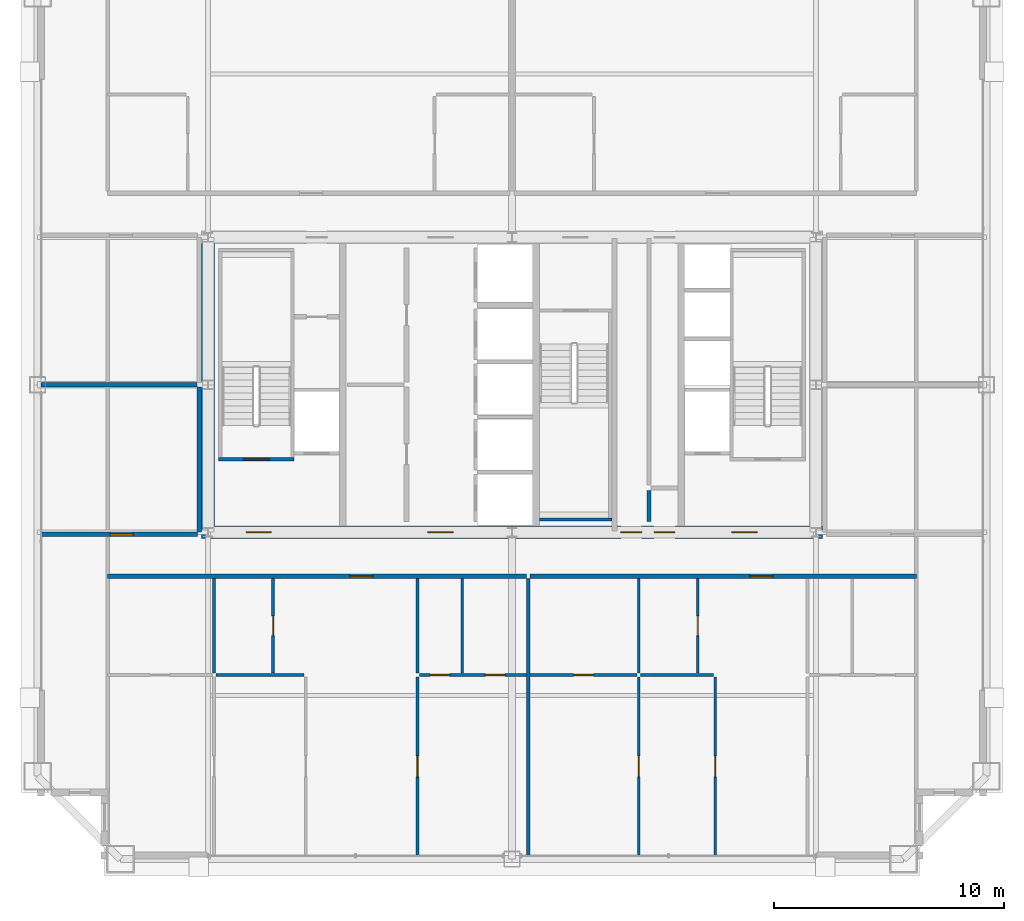
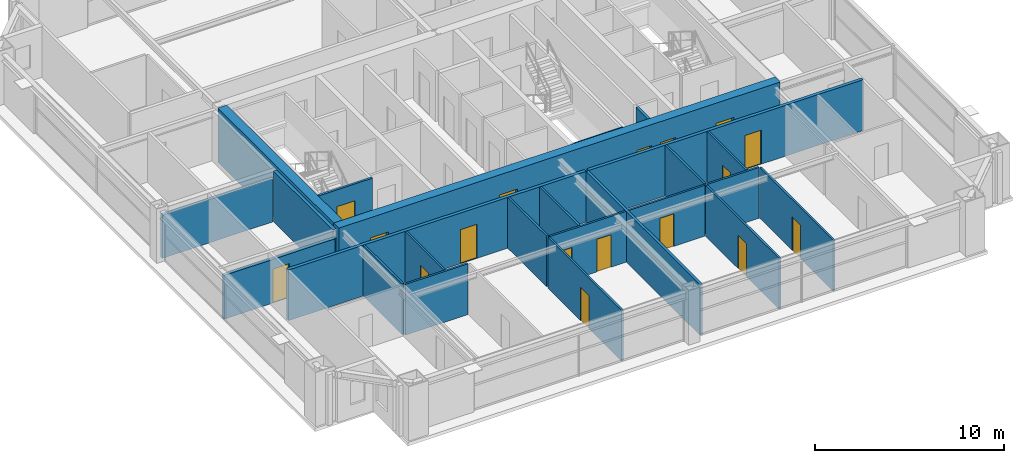
# One storey, part 32 of 36: 24 walls, 17 doors, 17 openings.
"""IFC4 building model written with IfcOpenShell, lengths in metres."""

from ifc_helpers import new_model, si_unit, direction, frame, frame_2d, origin, place, context, subcontext, project, spatial, rectangle, extrude, source, transform, mapped, material, layer, layer_set, type_object, element, fill, save


model = new_model("IFC4")

# Units and contexts
model_context = context("Model", 3, precision=1e-05, world=origin(), true_north=direction((0.0, 1.0)))
body_context = subcontext(model_context, "Body", "Model", "MODEL_VIEW")
ifc_project = project(units=[si_unit("LENGTHUNIT", "METRE"), si_unit("AREAUNIT", "SQUARE_METRE"), si_unit("VOLUMEUNIT", "CUBIC_METRE"), si_unit("PLANEANGLEUNIT", "RADIAN"), si_unit("MASSUNIT", "GRAM", prefix="KILO"), si_unit("THERMODYNAMICTEMPERATUREUNIT", "KELVIN"), si_unit("POWERUNIT", "WATT")], contexts=[model_context])

# Site, building, storey
site_placement = place(None, origin())
site = spatial("IfcSite", under=ifc_project, at=site_placement, CompositionType="ELEMENT")
building_placement = place(site_placement, origin())
building = spatial("IfcBuilding", under=site, at=building_placement, Name="Yuzanri Waterfront Tower", CompositionType="ELEMENT")
storey_placement = place(building_placement, frame((0.0, 0.0, 224.10009765625)))
storey = spatial("IfcBuildingStorey", under=building, at=storey_placement, Name="L59", CompositionType="ELEMENT", Elevation=224.10009765625)

# Wall, opening, door
ifc_material_1 = material(Name="Moisture-Resistant Gypsum Stud Wall", Category="gypsum")
ifc_layer_1 = layer(ifc_material_1, 0.1201171875)
ifc_layer_set_1 = layer_set([ifc_layer_1], Name="Moisture-Resistant Gypsum Stud Wall")
wall_type_1 = type_object("IfcWallType", Name="Bathroom and Kitchen Wet Partition 120", PredefinedType="PARTITIONING", material=ifc_layer_set_1)
wall_1_placement = place(storey_placement, frame((26.625, 13.280029296875, 0.0), z_axis=(0.0, 0.0, 1.0), x_axis=(0.0, 1.0, 0.0)))
wall_1 = element("IfcWall", 1, at=wall_1_placement, inside=storey, type_object=wall_type_1, Name="L59 Partition UW-L59-RS1-SUB-2-E", PredefinedType="PARTITIONING", context=body_context, shape_type="SweptSolid", body=[
    extrude(rectangle(XDim=4.10986328125, YDim=0.1201171875, at=frame_2d((2.054931640625, 0.0))), origin(), (0.0, 0.0, 1.0), 3.27978515625),
])
opening_1_placement = place(wall_1_placement, frame((1.6298828125, 0.0, 0.0)))
opening_1 = element("IfcOpeningElement", 2, at=opening_1_placement, cuts=wall_1, Name="Opening ID-0850", PredefinedType="OPENING", context=body_context, shape_type="SweptSolid", body=[
    extrude(rectangle(XDim=0.85009765625, YDim=2.10009765625, at=frame_2d((0.425048828125, 1.050048828125))), frame((0.0, 0.074951171875, 0.0), z_axis=(0.0, -1.0, 0.0), x_axis=(1.0, 0.0, 0.0)), (0.0, 0.0, 1.0), 0.14990234375),
])
ifc_material_2 = material(Name="Moisture-Resistant Lacquered Timber", Category="wood")
door_type_1 = type_object("IfcDoorType", Name="En-Suite Bathroom and Kitchen Swing Door 850x2100", OperationType="NOTDEFINED", PredefinedType="DOOR", material=ifc_material_2)
shared_shape_1 = source(origin(), body_context, "Body", "SweptSolid", [
    extrude(rectangle(XDim=0.85009765625, YDim=2.10009765625, at=frame_2d((0.425048828125, 1.050048828125))), frame((0.0, 0.02490234375, 0.0), z_axis=(0.0, -1.0, 0.0), x_axis=(1.0, 0.0, 0.0)), (0.0, 0.0, 1.0), 0.050048828125),
])
door_1_placement = place(opening_1_placement, origin())
door_1 = element("IfcDoor", 3, at=door_1_placement, inside=storey, type_object=door_type_1, Name="L59 Suite Interior Room Door", OperationType="SINGLE_SWING_RIGHT", OverallHeight=2.10009765625, OverallWidth=0.85009765625, PredefinedType="DOOR", context=body_context, shape_type="MappedRepresentation", body=[
    mapped(shared_shape_1, transform((0.0, 0.0, 0.0), scale=1.0)),
])
fill(opening_1, door_1)

# Wall, openings, doors
wall_2_placement = place(storey_placement, frame((32.97509765625, 13.199951171875, 0.0), z_axis=(0.0, 0.0, 1.0), x_axis=(1.0, 0.0, 0.0)))
wall_2 = element("IfcWall", 4, at=wall_2_placement, inside=storey, type_object=wall_type_1, Name="L59 Partition UW-L59-RS1-SUB-6-N", PredefinedType="PARTITIONING", context=body_context, shape_type="SweptSolid", body=[
    extrude(rectangle(XDim=4.64697265625, YDim=0.1201171875, at=frame_2d((2.323486328125, 0.0))), origin(), (0.0, 0.0, 1.0), 3.27978515625),
])
opening_2_placement = place(wall_2_placement, frame((2.8720703125, 0.0, 0.0)))
opening_2 = element("IfcOpeningElement", 5, at=opening_2_placement, cuts=wall_2, Name="Opening ID-0850", PredefinedType="OPENING", context=body_context, shape_type="SweptSolid", body=[
    extrude(rectangle(XDim=0.85009765625, YDim=2.10009765625, at=frame_2d((0.425048828125, 1.050048828125))), frame((0.0, 0.074951171875, 0.0), z_axis=(0.0, -1.0, 0.0), x_axis=(1.0, 0.0, 0.0)), (0.0, 0.0, 1.0), 0.14990234375),
])
opening_3_placement = place(wall_2_placement, frame((0.468505859375, 0.0, 0.0)))
opening_3 = element("IfcOpeningElement", 6, at=opening_3_placement, cuts=wall_2, Name="Opening ID-0850", PredefinedType="OPENING", context=body_context, shape_type="SweptSolid", body=[
    extrude(rectangle(XDim=0.85009765625, YDim=2.10009765625, at=frame_2d((0.425048828125, 1.050048828125))), frame((0.0, 0.074951171875, 0.0), z_axis=(0.0, -1.0, 0.0), x_axis=(1.0, 0.0, 0.0)), (0.0, 0.0, 1.0), 0.14990234375),
])
door_2_placement = place(opening_2_placement, origin())
door_2 = element("IfcDoor", 7, at=door_2_placement, inside=storey, type_object=door_type_1, Name="L59 Suite Interior Room Door", OperationType="SINGLE_SWING_LEFT", OverallHeight=2.10009765625, OverallWidth=0.85009765625, PredefinedType="DOOR", context=body_context, shape_type="MappedRepresentation", body=[
    mapped(shared_shape_1, transform((0.0, 0.0, 0.0), scale=1.0)),
])
fill(opening_2, door_2)
door_3_placement = place(opening_3_placement, origin())
door_3 = element("IfcDoor", 8, at=door_3_placement, inside=storey, type_object=door_type_1, Name="L59 Suite Interior Room Door", OperationType="SINGLE_SWING_RIGHT", OverallHeight=2.10009765625, OverallWidth=0.85009765625, PredefinedType="DOOR", context=body_context, shape_type="MappedRepresentation", body=[
    mapped(shared_shape_1, transform((0.0, 0.0, 0.0), scale=1.0)),
])
fill(opening_3, door_3)

# Wall, opening, door
wall_3_placement = place(storey_placement, frame((32.89501953125, 5.35009765625, 0.0), z_axis=(0.0, 0.0, 1.0), x_axis=(0.0, 1.0, 0.0)))
wall_3 = element("IfcWall", 9, at=wall_3_placement, inside=storey, type_object=wall_type_1, Name="L59 Partition UW-L59-RS1-SUB-6-W", PredefinedType="PARTITIONING", context=body_context, shape_type="SweptSolid", body=[
    extrude(rectangle(XDim=7.77001953125, YDim=0.1201171875, at=frame_2d((3.885009765625, 0.0))), origin(), (0.0, 0.0, 1.0), 3.27978515625),
])
opening_4_placement = place(wall_3_placement, frame((3.43505859375, 0.0, 0.0)))
opening_4 = element("IfcOpeningElement", 10, at=opening_4_placement, cuts=wall_3, Name="Opening ID-0900", PredefinedType="OPENING", context=body_context, shape_type="SweptSolid", body=[
    extrude(rectangle(XDim=0.89990234375, YDim=2.14990234375, at=frame_2d((0.449951171875, 1.074951171875))), frame((0.0, 0.074951171875, 0.0), z_axis=(0.0, -1.0, 0.0), x_axis=(1.0, 0.0, 0.0)), (0.0, 0.0, 1.0), 0.14990234375),
])
ifc_material_3 = material(Name="Stained Walnut Veneer Timber", Category="wood")
door_type_2 = type_object("IfcDoorType", Name="Bedroom and Study Interior Swing Door 900x2150", OperationType="NOTDEFINED", PredefinedType="DOOR", material=ifc_material_3)
shared_shape_2 = source(origin(), body_context, "Body", "SweptSolid", [
    extrude(rectangle(XDim=0.89990234375, YDim=2.14990234375, at=frame_2d((0.449951171875, 1.074951171875))), frame((0.0, 0.02490234375, 0.0), z_axis=(0.0, -1.0, 0.0), x_axis=(1.0, 0.0, 0.0)), (0.0, 0.0, 1.0), 0.050048828125),
])
door_4_placement = place(opening_4_placement, origin())
door_4 = element("IfcDoor", 11, at=door_4_placement, inside=storey, type_object=door_type_2, Name="L59 Suite Interior Room Door", OperationType="SINGLE_SWING_RIGHT", OverallHeight=2.14990234375, OverallWidth=0.89990234375, PredefinedType="DOOR", context=body_context, shape_type="MappedRepresentation", body=[
    mapped(shared_shape_2, transform((0.0, 0.0, 0.0), scale=1.0)),
])
fill(opening_4, door_4)

wall_4_placement = place(storey_placement, frame((37.781982421875, 13.199951171875, 0.0), z_axis=(0.0, 0.0, 1.0), x_axis=(1.0, 0.0, 0.0)))
wall_4 = element("IfcWall", 12, at=wall_4_placement, inside=storey, type_object=wall_type_1, Name="L59 Partition UW-L59-RS2-SUB-1-S", PredefinedType="PARTITIONING", context=body_context, shape_type="SweptSolid", body=[
    extrude(rectangle(XDim=4.64697265625, YDim=0.1201171875, at=frame_2d((2.323486328125, 0.0))), origin(), (0.0, 0.0, 1.0), 3.27978515625),
])
opening_5_placement = place(wall_4_placement, frame((1.8984375, 0.0, 0.0)))
opening_5 = element("IfcOpeningElement", 13, at=opening_5_placement, cuts=wall_4, Name="Opening ID-0850", PredefinedType="OPENING", context=body_context, shape_type="SweptSolid", body=[
    extrude(rectangle(XDim=0.85009765625, YDim=2.10009765625, at=frame_2d((0.425048828125, 1.050048828125))), frame((0.0, 0.074951171875, 0.0), z_axis=(0.0, -1.0, 0.0), x_axis=(1.0, 0.0, 0.0)), (0.0, 0.0, 1.0), 0.14990234375),
])
door_5_placement = place(opening_5_placement, origin())
door_5 = element("IfcDoor", 14, at=door_5_placement, inside=storey, type_object=door_type_1, Name="L59 Suite Interior Room Door", OperationType="SINGLE_SWING_LEFT", OverallHeight=2.10009765625, OverallWidth=0.85009765625, PredefinedType="DOOR", context=body_context, shape_type="MappedRepresentation", body=[
    mapped(shared_shape_1, transform((0.0, 0.0, 0.0), scale=1.0)),
])
fill(opening_5, door_5)

wall_5_placement = place(storey_placement, frame((45.069091796875, 13.280029296875, 0.0), z_axis=(0.0, 0.0, 1.0), x_axis=(0.0, 1.0, 0.0)))
wall_5 = element("IfcWall", 15, at=wall_5_placement, inside=storey, type_object=wall_type_1, Name="L59 Partition UW-L59-RS2-SUB-2-E", PredefinedType="PARTITIONING", context=body_context, shape_type="SweptSolid", body=[
    extrude(rectangle(XDim=4.10986328125, YDim=0.1201171875, at=frame_2d((2.054931640625, 0.0))), origin(), (0.0, 0.0, 1.0), 3.27978515625),
])
opening_6_placement = place(wall_5_placement, frame((1.6298828125, 0.0, 0.0)))
opening_6 = element("IfcOpeningElement", 16, at=opening_6_placement, cuts=wall_5, Name="Opening ID-0850", PredefinedType="OPENING", context=body_context, shape_type="SweptSolid", body=[
    extrude(rectangle(XDim=0.85009765625, YDim=2.10009765625, at=frame_2d((0.425048828125, 1.050048828125))), frame((0.0, 0.074951171875, 0.0), z_axis=(0.0, -1.0, 0.0), x_axis=(1.0, 0.0, 0.0)), (0.0, 0.0, 1.0), 0.14990234375),
])
door_6_placement = place(opening_6_placement, origin())
door_6 = element("IfcDoor", 17, at=door_6_placement, inside=storey, type_object=door_type_1, Name="L59 Suite Interior Room Door", OperationType="SINGLE_SWING_RIGHT", OverallHeight=2.10009765625, OverallWidth=0.85009765625, PredefinedType="DOOR", context=body_context, shape_type="MappedRepresentation", body=[
    mapped(shared_shape_1, transform((0.0, 0.0, 0.0), scale=1.0)),
])
fill(opening_6, door_6)

wall_6_placement = place(storey_placement, frame((42.509033203125, 5.35009765625, 0.0), z_axis=(0.0, 0.0, 1.0), x_axis=(0.0, 1.0, 0.0)))
wall_6 = element("IfcWall", 18, at=wall_6_placement, inside=storey, type_object=wall_type_1, Name="L59 Partition UW-L59-RS2-SUB-5-E", PredefinedType="PARTITIONING", context=body_context, shape_type="SweptSolid", body=[
    extrude(rectangle(XDim=7.77001953125, YDim=0.1201171875, at=frame_2d((3.885009765625, 0.0))), origin(), (0.0, 0.0, 1.0), 3.27978515625),
])
opening_7_placement = place(wall_6_placement, frame((3.43505859375, 0.0, 0.0)))
opening_7 = element("IfcOpeningElement", 19, at=opening_7_placement, cuts=wall_6, Name="Opening ID-0900", PredefinedType="OPENING", context=body_context, shape_type="SweptSolid", body=[
    extrude(rectangle(XDim=0.89990234375, YDim=2.14990234375, at=frame_2d((0.449951171875, 1.074951171875))), frame((0.0, 0.074951171875, 0.0), z_axis=(0.0, -1.0, 0.0), x_axis=(1.0, 0.0, 0.0)), (0.0, 0.0, 1.0), 0.14990234375),
])
door_7_placement = place(opening_7_placement, origin())
door_7 = element("IfcDoor", 20, at=door_7_placement, inside=storey, type_object=door_type_2, Name="L59 Suite Interior Room Door", OperationType="SINGLE_SWING_LEFT", OverallHeight=2.14990234375, OverallWidth=0.89990234375, PredefinedType="DOOR", context=body_context, shape_type="MappedRepresentation", body=[
    mapped(shared_shape_2, transform((0.0, 0.0, 0.0), scale=1.0)),
])
fill(opening_7, door_7)

wall_7_placement = place(storey_placement, frame((45.821044921875, 5.35009765625, 0.0), z_axis=(0.0, 0.0, 1.0), x_axis=(0.0, 1.0, 0.0)))
wall_7 = element("IfcWall", 21, at=wall_7_placement, inside=storey, type_object=wall_type_1, Name="L59 Partition UW-L59-RS2-SUB-7-E", PredefinedType="PARTITIONING", context=body_context, shape_type="SweptSolid", body=[
    extrude(rectangle(XDim=7.77001953125, YDim=0.1201171875, at=frame_2d((3.885009765625, 0.0))), origin(), (0.0, 0.0, 1.0), 3.27978515625),
])
opening_8_placement = place(wall_7_placement, frame((3.43505859375, 0.0, 0.0)))
opening_8 = element("IfcOpeningElement", 22, at=opening_8_placement, cuts=wall_7, Name="Opening ID-0900", PredefinedType="OPENING", context=body_context, shape_type="SweptSolid", body=[
    extrude(rectangle(XDim=0.89990234375, YDim=2.14990234375, at=frame_2d((0.449951171875, 1.074951171875))), frame((0.0, 0.074951171875, 0.0), z_axis=(0.0, -1.0, 0.0), x_axis=(1.0, 0.0, 0.0)), (0.0, 0.0, 1.0), 0.14990234375),
])
door_8_placement = place(opening_8_placement, origin())
door_8 = element("IfcDoor", 23, at=door_8_placement, inside=storey, type_object=door_type_2, Name="L59 Suite Interior Room Door", OperationType="SINGLE_SWING_LEFT", OverallHeight=2.14990234375, OverallWidth=0.89990234375, PredefinedType="DOOR", context=body_context, shape_type="MappedRepresentation", body=[
    mapped(shared_shape_2, transform((0.0, 0.0, 0.0), scale=1.0)),
])
fill(opening_8, door_8)

# Wall, openings, doors
ifc_material_4 = material(Name="Concrete C50", Category="concrete")
ifc_layer_2 = layer(ifc_material_4, 0.550048828125)
ifc_layer_set_2 = layer_set([ifc_layer_2], Name="Concrete C50")
wall_type_2 = type_object("IfcWallType", Name="Concrete C50 Upper-Mid Zone Core Shear Wall 550", PredefinedType="SHEAR", material=ifc_layer_set_2)
wall_8_placement = place(storey_placement, frame((23.52490234375, 19.39990234375, 0.0), z_axis=(0.0, 0.0, 1.0), x_axis=(1.0, 0.0, 0.0)))
wall_8 = element("IfcWall", 24, at=wall_8_placement, inside=storey, type_object=wall_type_2, Name="L59 Core South Shear Wall", PredefinedType="SHEAR", context=body_context, shape_type="SweptSolid", body=[
    extrude(rectangle(XDim=26.9501953125, YDim=0.550048828125, at=frame_2d((13.47509765625, 0.0))), origin(), (0.0, 0.0, 1.0), 3.5),
])
opening_9_placement = place(wall_8_placement, frame((1.925048828125, 0.0, 0.0)))
opening_9 = element("IfcOpeningElement", 25, at=opening_9_placement, cuts=wall_8, Name="Opening FD-1100", PredefinedType="OPENING", context=body_context, shape_type="SweptSolid", body=[
    extrude(rectangle(XDim=1.10009765625, YDim=2.199951171875, at=frame_2d((0.550048828125, 1.10009765625))), frame((0.0, 0.2900390625, 0.0), z_axis=(0.0, -1.0, 0.0), x_axis=(1.0, 0.0, 0.0)), (0.0, 0.0, 1.0), 0.579833984375),
])
opening_10_placement = place(wall_8_placement, frame((9.824951171875, 0.0, 0.0)))
opening_10 = element("IfcOpeningElement", 26, at=opening_10_placement, cuts=wall_8, Name="Opening FD-1100", PredefinedType="OPENING", context=body_context, shape_type="SweptSolid", body=[
    extrude(rectangle(XDim=1.10009765625, YDim=2.199951171875, at=frame_2d((0.550048828125, 1.10009765625))), frame((0.0, 0.2900390625, 0.0), z_axis=(0.0, -1.0, 0.0), x_axis=(1.0, 0.0, 0.0)), (0.0, 0.0, 1.0), 0.579833984375),
])
opening_11_placement = place(wall_8_placement, frame((23.02490234375, 0.0, 0.0)))
opening_11 = element("IfcOpeningElement", 27, at=opening_11_placement, cuts=wall_8, Name="Opening FD-1100", PredefinedType="OPENING", context=body_context, shape_type="SweptSolid", body=[
    extrude(rectangle(XDim=1.10009765625, YDim=2.199951171875, at=frame_2d((0.550048828125, 1.10009765625))), frame((0.0, 0.2900390625, 0.0), z_axis=(0.0, -1.0, 0.0), x_axis=(1.0, 0.0, 0.0)), (0.0, 0.0, 1.0), 0.579833984375),
])
opening_12_placement = place(wall_8_placement, frame((19.64501953125, 0.0, 0.0)))
opening_12 = element("IfcOpeningElement", 28, at=opening_12_placement, cuts=wall_8, Name="Opening FD-0900", PredefinedType="OPENING", context=body_context, shape_type="SweptSolid", body=[
    extrude(rectangle(XDim=0.89990234375, YDim=2.14990234375, at=frame_2d((0.449951171875, 1.074951171875))), frame((0.0, 0.2900390625, 0.0), z_axis=(0.0, -1.0, 0.0), x_axis=(1.0, 0.0, 0.0)), (0.0, 0.0, 1.0), 0.579833984375),
])
opening_13_placement = place(wall_8_placement, frame((18.205078125, 0.0, 0.0)))
opening_13 = element("IfcOpeningElement", 29, at=opening_13_placement, cuts=wall_8, Name="Opening FD-0900", PredefinedType="OPENING", context=body_context, shape_type="SweptSolid", body=[
    extrude(rectangle(XDim=0.89990234375, YDim=2.14990234375, at=frame_2d((0.449951171875, 1.074951171875))), frame((0.0, 0.2900390625, 0.0), z_axis=(0.0, -1.0, 0.0), x_axis=(1.0, 0.0, 0.0)), (0.0, 0.0, 1.0), 0.579833984375),
])
ifc_material_5 = material(Name="Painted Galvanized Fire Steel", Category="steel")
door_type_3 = type_object("IfcDoorType", Name="Smoke-Proof Stair and Lobby Fire Door 1100x2200", OperationType="NOTDEFINED", PredefinedType="DOOR", material=ifc_material_5)
shared_shape_3 = source(origin(), body_context, "Body", "SweptSolid", [
    extrude(rectangle(XDim=1.10009765625, YDim=2.199951171875, at=frame_2d((0.550048828125, 1.10009765625))), frame((0.0, 0.02490234375, 0.0), z_axis=(0.0, -1.0, 0.0), x_axis=(1.0, 0.0, 0.0)), (0.0, 0.0, 1.0), 0.050048828125),
])
door_9_placement = place(opening_9_placement, origin())
door_9 = element("IfcDoor", 30, at=door_9_placement, inside=storey, type_object=door_type_3, Name="L59 West Firefighting Lobby Door", OperationType="SINGLE_SWING_RIGHT", OverallHeight=2.199951171875, OverallWidth=1.10009765625, PredefinedType="DOOR", context=body_context, shape_type="MappedRepresentation", body=[
    mapped(shared_shape_3, transform((0.0, 0.0, 0.0), scale=1.0)),
])
fill(opening_9, door_9)
door_10_placement = place(opening_10_placement, origin())
door_10 = element("IfcDoor", 31, at=door_10_placement, inside=storey, type_object=door_type_3, Name="L59 Central Lift Lobby South Door", OperationType="SINGLE_SWING_LEFT", OverallHeight=2.199951171875, OverallWidth=1.10009765625, PredefinedType="DOOR", context=body_context, shape_type="MappedRepresentation", body=[
    mapped(shared_shape_3, transform((0.0, 0.0, 0.0), scale=1.0)),
])
fill(opening_10, door_10)
door_11_placement = place(opening_11_placement, origin())
door_11 = element("IfcDoor", 32, at=door_11_placement, inside=storey, type_object=door_type_3, Name="L59 East Firefighting Lobby Door", OperationType="SINGLE_SWING_RIGHT", OverallHeight=2.199951171875, OverallWidth=1.10009765625, PredefinedType="DOOR", context=body_context, shape_type="MappedRepresentation", body=[
    mapped(shared_shape_3, transform((0.0, 0.0, 0.0), scale=1.0)),
])
fill(opening_11, door_11)
ifc_material_6 = material(Name="Painted Galvanized Fire Steel", Category="steel")
door_type_4 = type_object("IfcDoorType", Name="Riser and Service Room Fire Door 900x2150", OperationType="NOTDEFINED", PredefinedType="DOOR", material=ifc_material_6)
shared_shape_4 = source(origin(), body_context, "Body", "SweptSolid", [
    extrude(rectangle(XDim=0.89990234375, YDim=2.14990234375, at=frame_2d((0.449951171875, 1.074951171875))), frame((0.0, 0.02490234375, 0.0), z_axis=(0.0, -1.0, 0.0), x_axis=(1.0, 0.0, 0.0)), (0.0, 0.0, 1.0), 0.050048828125),
])
door_12_placement = place(opening_12_placement, origin())
door_12 = element("IfcDoor", 33, at=door_12_placement, inside=storey, type_object=door_type_4, Name="L59 East Wet Riser Door", OperationType="SINGLE_SWING_LEFT", OverallHeight=2.14990234375, OverallWidth=0.89990234375, PredefinedType="DOOR", context=body_context, shape_type="MappedRepresentation", body=[
    mapped(shared_shape_4, transform((0.0, 0.0, 0.0), scale=1.0)),
])
fill(opening_12, door_12)
door_13_placement = place(opening_13_placement, origin())
door_13 = element("IfcDoor", 34, at=door_13_placement, inside=storey, type_object=door_type_4, Name="L59 Cleaners Store Room", OperationType="SINGLE_SWING_RIGHT", OverallHeight=2.14990234375, OverallWidth=0.89990234375, PredefinedType="DOOR", context=body_context, shape_type="MappedRepresentation", body=[
    mapped(shared_shape_4, transform((0.0, 0.0, 0.0), scale=1.0)),
])
fill(opening_13, door_13)

# Wall, opening, door
ifc_material_7 = material(Name="Concrete C40", Category="concrete")
ifc_layer_3 = layer(ifc_material_7, 0.139892578125)
ifc_layer_set_3 = layer_set([ifc_layer_3], Name="Concrete C40")
wall_type_3 = type_object("IfcWallType", Name="Core Stair Liner and Hoistway Shaft Wall 140", PredefinedType="SOLIDWALL", material=ifc_layer_set_3)
wall_9_placement = place(storey_placement, frame((24.260009765625, 22.570068359375, 0.0), z_axis=(0.0, 0.0, 1.0), x_axis=(1.0, 0.0, 0.0)))
wall_9 = element("IfcWall", 35, at=wall_9_placement, inside=storey, type_object=wall_type_3, Name="L59 Shaft Wall STW-L59-ST-01-S", PredefinedType="SOLIDWALL", context=body_context, shape_type="SweptSolid", body=[
    extrude(rectangle(XDim=3.280029296875, YDim=0.139892578125, at=frame_2d((1.64013671875, 0.0))), origin(), (0.0, 0.0, 1.0), 3.27978515625),
])
opening_14_placement = place(wall_9_placement, frame((1.090087890625, 0.0, 0.0)))
opening_14 = element("IfcOpeningElement", 36, at=opening_14_placement, cuts=wall_9, Name="Opening FD-1100", PredefinedType="OPENING", context=body_context, shape_type="SweptSolid", body=[
    extrude(rectangle(XDim=1.10009765625, YDim=2.199951171875, at=frame_2d((0.550048828125, 1.10009765625))), frame((0.0, 0.0849609375, 0.0), z_axis=(0.0, -1.0, 0.0), x_axis=(1.0, 0.0, 0.0)), (0.0, 0.0, 1.0), 0.169677734375),
])
door_14_placement = place(opening_14_placement, origin())
door_14 = element("IfcDoor", 37, at=door_14_placement, inside=storey, type_object=door_type_3, Name="L59 Stair ST-01 Fire Door", OperationType="SINGLE_SWING_LEFT", OverallHeight=2.199951171875, OverallWidth=1.10009765625, PredefinedType="DOOR", context=body_context, shape_type="MappedRepresentation", body=[
    mapped(shared_shape_3, transform((0.0, 0.0, 0.0), scale=1.0)),
])
fill(opening_14, door_14)

ifc_material_8 = material(Name="Autoclaved Aerated Concrete Blockwork", Category="masonry")
ifc_layer_4 = layer(ifc_material_8, 0.199951171875)
ifc_layer_set_4 = layer_set([ifc_layer_4], Name="Autoclaved Aerated Concrete Blockwork")
wall_type_4 = type_object("IfcWallType", Name="Corridor and Unit Party Fire Wall 200", PredefinedType="PARTITIONING", material=ifc_layer_set_4)
wall_10_placement = place(storey_placement, frame((19.43994140625, 17.489990234375, 0.0), z_axis=(0.0, 0.0, 1.0), x_axis=(1.0, 0.0, 0.0)))
wall_10 = element("IfcWall", 38, at=wall_10_placement, inside=storey, type_object=wall_type_4, Name="L59 Partition UW-L59-RS1-CN", PredefinedType="PARTITIONING", context=body_context, shape_type="SweptSolid", body=[
    extrude(rectangle(XDim=18.18212890625, YDim=0.199951171875, at=frame_2d((9.091064453125, 0.0))), origin(), (0.0, 0.0, 1.0), 3.27978515625),
])
opening_15_placement = place(wall_10_placement, frame((10.528076171875, 0.0, 0.0)))
opening_15 = element("IfcOpeningElement", 39, at=opening_15_placement, cuts=wall_10, Name="Opening FD-1000", PredefinedType="OPENING", context=body_context, shape_type="SweptSolid", body=[
    extrude(rectangle(XDim=1.0, YDim=2.199951171875, at=frame_2d((0.5, 1.10009765625))), frame((0.0, 0.11474609375, 0.0), z_axis=(0.0, -1.0, 0.0), x_axis=(1.0, 0.0, 0.0)), (0.0, 0.0, 1.0), 0.229736328125),
])
ifc_material_9 = material(Name="Engineered Oak Fire-Rated Timber", Category="wood")
door_type_5 = type_object("IfcDoorType", Name="Guestroom and Apartment Entrance Fire Door 1000x2200", OperationType="NOTDEFINED", PredefinedType="DOOR", material=ifc_material_9)
shared_shape_5 = source(origin(), body_context, "Body", "SweptSolid", [
    extrude(rectangle(XDim=1.0, YDim=2.199951171875, at=frame_2d((0.5, 1.10009765625))), frame((0.0, 0.02490234375, 0.0), z_axis=(0.0, -1.0, 0.0), x_axis=(1.0, 0.0, 0.0)), (0.0, 0.0, 1.0), 0.050048828125),
])
door_15_placement = place(opening_15_placement, origin())
door_15 = element("IfcDoor", 40, at=door_15_placement, inside=storey, type_object=door_type_5, Name="L59 Apartment Living and Dining Salon Entrance Door", OperationType="SINGLE_SWING_RIGHT", OverallHeight=2.199951171875, OverallWidth=1.0, PredefinedType="DOOR", context=body_context, shape_type="MappedRepresentation", body=[
    mapped(shared_shape_5, transform((0.0, 0.0, 0.0), scale=1.0)),
])
fill(opening_15, door_15)

wall_11_placement = place(storey_placement, frame((37.781982421875, 17.489990234375, 0.0), z_axis=(0.0, 0.0, 1.0), x_axis=(1.0, 0.0, 0.0)))
wall_11 = element("IfcWall", 41, at=wall_11_placement, inside=storey, type_object=wall_type_4, Name="L59 Partition UW-L59-RS2-CN", PredefinedType="PARTITIONING", context=body_context, shape_type="SweptSolid", body=[
    extrude(rectangle(XDim=16.778076171875, YDim=0.199951171875, at=frame_2d((8.38916015625, 0.0))), origin(), (0.0, 0.0, 1.0), 3.27978515625),
])
opening_16_placement = place(wall_11_placement, frame((9.544921875, 0.0, 0.0)))
opening_16 = element("IfcOpeningElement", 42, at=opening_16_placement, cuts=wall_11, Name="Opening FD-1000", PredefinedType="OPENING", context=body_context, shape_type="SweptSolid", body=[
    extrude(rectangle(XDim=1.0, YDim=2.199951171875, at=frame_2d((0.5, 1.10009765625))), frame((0.0, 0.11474609375, 0.0), z_axis=(0.0, -1.0, 0.0), x_axis=(1.0, 0.0, 0.0)), (0.0, 0.0, 1.0), 0.229736328125),
])
door_16_placement = place(opening_16_placement, origin())
door_16 = element("IfcDoor", 43, at=door_16_placement, inside=storey, type_object=door_type_5, Name="L59 Apartment Living and Dining Salon Entrance Door", OperationType="SINGLE_SWING_RIGHT", OverallHeight=2.199951171875, OverallWidth=1.0, PredefinedType="DOOR", context=body_context, shape_type="MappedRepresentation", body=[
    mapped(shared_shape_5, transform((0.0, 0.0, 0.0), scale=1.0)),
])
fill(opening_16, door_16)

wall_12_placement = place(storey_placement, frame((16.550048828125, 19.31005859375, 0.0), z_axis=(0.0, 0.0, 1.0), x_axis=(1.0, 0.0, 0.0)))
wall_12 = element("IfcWall", 44, at=wall_12_placement, inside=storey, type_object=wall_type_4, Name="L59 Partition UW-L59-039-CS", PredefinedType="PARTITIONING", context=body_context, shape_type="SweptSolid", body=[
    extrude(rectangle(XDim=6.800048828125, YDim=0.199951171875, at=frame_2d((3.39990234375, 0.0))), origin(), (0.0, 0.0, 1.0), 2.824951171875),
])
opening_17_placement = place(wall_12_placement, frame((3.0, 0.0, 0.0)))
opening_17 = element("IfcOpeningElement", 45, at=opening_17_placement, cuts=wall_12, Name="Opening FD-1000", PredefinedType="OPENING", context=body_context, shape_type="SweptSolid", body=[
    extrude(rectangle(XDim=1.0, YDim=2.199951171875, at=frame_2d((0.5, 1.10009765625))), frame((0.0, 0.11474609375, 0.0), z_axis=(0.0, -1.0, 0.0), x_axis=(1.0, 0.0, 0.0)), (0.0, 0.0, 1.0), 0.229736328125),
])
door_17_placement = place(opening_17_placement, origin())
door_17 = element("IfcDoor", 46, at=door_17_placement, inside=storey, type_object=door_type_5, Name="L59 Residents W Boardroom Meeting Room Entrance Door", OperationType="SINGLE_SWING_RIGHT", OverallHeight=2.199951171875, OverallWidth=1.0, PredefinedType="DOOR", context=body_context, shape_type="MappedRepresentation", body=[
    mapped(shared_shape_5, transform((0.0, 0.0, 0.0), scale=1.0)),
])
fill(opening_17, door_17)

# Walls
shared_shape_6 = source(origin(), body_context, "Body", "SweptSolid", [
    extrude(rectangle(XDim=12.25, YDim=0.550048828125, at=frame_2d((6.125, 0.0))), origin(), (0.0, 0.0, 1.0), 3.5),
])
wall_13_placement = place(storey_placement, frame((23.800048828125, 19.675048828125, 0.0), z_axis=(0.0, 0.0, 1.0), x_axis=(0.0, 1.0, 0.0)))
element("IfcWall", 47, at=wall_13_placement, inside=storey, type_object=wall_type_2, Name="L59 Core West Shear Wall", PredefinedType="SHEAR", context=body_context, shape_type="MappedRepresentation", body=[
    mapped(shared_shape_6, transform((0.0, 0.0, 0.0), scale=1.0)),
])
shared_shape_7 = source(origin(), body_context, "Body", "SweptSolid", [
    extrude(rectangle(XDim=3.14013671875, YDim=0.139892578125, at=frame_2d((1.570068359375, 0.0))), origin(), (0.0, 0.0, 1.0), 3.27978515625),
])
wall_14_placement = place(storey_placement, frame((38.199951171875, 19.949951171875, 0.0), z_axis=(0.0, 0.0, 1.0), x_axis=(1.0, 0.0, 0.0)))
element("IfcWall", 48, at=wall_14_placement, inside=storey, type_object=wall_type_3, Name="L59 Stair ST-03 South Shaft Wall", PredefinedType="SOLIDWALL", context=body_context, shape_type="MappedRepresentation", body=[
    mapped(shared_shape_7, transform((0.0, 0.0, 0.0), scale=1.0)),
])
ifc_material_10 = material(Name="Gypsum Fireboard Acoustic Stud Wall", Category="gypsum")
ifc_layer_5 = layer(ifc_material_10, 0.159912109375)
ifc_layer_set_5 = layer_set([ifc_layer_5], Name="Gypsum Fireboard Acoustic Stud Wall")
wall_type_5 = type_object("IfcWallType", Name="Acoustic Suite Demising Partition 160", PredefinedType="PARTITIONING", material=ifc_layer_set_5)
shared_shape_8 = source(origin(), body_context, "Body", "SweptSolid", [
    extrude(rectangle(XDim=1.33984375, YDim=0.159912109375, at=frame_2d((0.669921875, 0.0))), origin(), (0.0, 0.0, 1.0), 3.27978515625),
])
wall_15_placement = place(storey_placement, frame((42.949951171875, 19.860107421875, 0.0), z_axis=(0.0, 0.0, 1.0), x_axis=(0.0, 1.0, 0.0)))
element("IfcWall", 49, at=wall_15_placement, inside=storey, type_object=wall_type_5, Name="L59 East Wet Riser West Wall", PredefinedType="PARTITIONING", context=body_context, shape_type="MappedRepresentation", body=[
    mapped(shared_shape_8, transform((0.0, 0.0, 0.0), scale=1.0)),
])
shared_shape_9 = source(origin(), body_context, "Body", "SweptSolid", [
    extrude(rectangle(XDim=12.039794921875, YDim=0.159912109375, at=frame_2d((6.02001953125, 0.0))), origin(), (0.0, 0.0, 1.0), 3.27978515625),
])
wall_16_placement = place(storey_placement, frame((37.701904296875, 5.35009765625, 0.0), z_axis=(0.0, 0.0, 1.0), x_axis=(0.0, 1.0, 0.0)))
element("IfcWall", 50, at=wall_16_placement, inside=storey, type_object=wall_type_5, Name="L59-RS1 Party Wall", PredefinedType="PARTITIONING", context=body_context, shape_type="MappedRepresentation", body=[
    mapped(shared_shape_9, transform((0.0, 0.0, 0.0), scale=1.0)),
])
shared_shape_10 = source(origin(), body_context, "Body", "SweptSolid", [
    extrude(rectangle(XDim=4.10986328125, YDim=0.1201171875, at=frame_2d((2.054931640625, 0.0))), origin(), (0.0, 0.0, 1.0), 3.27978515625),
])
for number, where, z_axis, x_axis, name in (
    (51, (24.06494140625, 13.280029296875, 0.0), (0.0, 0.0, 1.0), (0.0, 1.0, 0.0), "L59 Partition UW-L59-RS1-SUB-1-E"),
    (52, (34.842041015625, 13.280029296875, 0.0), (0.0, 0.0, 1.0), (0.0, 1.0, 0.0), "L59 Partition UW-L59-RS1-SUB-3-W"),
    (53, (32.89501953125, 13.280029296875, 0.0), (0.0, 0.0, 1.0), (0.0, 1.0, 0.0), "L59 Partition UW-L59-RS1-SUB-4-W"),
    (54, (42.509033203125, 13.280029296875, 0.0), (0.0, 0.0, 1.0), (0.0, 1.0, 0.0), "L59 Partition UW-L59-RS2-SUB-1-E"),
):
    element("IfcWall", number, at=place(storey_placement, frame(where, z_axis=z_axis, x_axis=x_axis)), inside=storey, type_object=wall_type_1, Name=name, PredefinedType="PARTITIONING", context=body_context, shape_type="MappedRepresentation", body=[
        mapped(shared_shape_10, transform((0.0, 0.0, 0.0), scale=1.0)),
    ])
shared_shape_11 = source(origin(), body_context, "Body", "SweptSolid", [
    extrude(rectangle(XDim=3.81494140625, YDim=0.1201171875, at=frame_2d((1.907470703125, 0.0))), origin(), (0.0, 0.0, 1.0), 3.27978515625),
])
wall_17_placement = place(storey_placement, frame((24.14501953125, 13.199951171875, 0.0), z_axis=(0.0, 0.0, 1.0), x_axis=(1.0, 0.0, 0.0)))
element("IfcWall", 55, at=wall_17_placement, inside=storey, type_object=wall_type_1, Name="L59 Partition UW-L59-RS1-SUB-7-N", PredefinedType="PARTITIONING", context=body_context, shape_type="MappedRepresentation", body=[
    mapped(shared_shape_11, transform((0.0, 0.0, 0.0), scale=1.0)),
])
shared_shape_12 = source(origin(), body_context, "Body", "SweptSolid", [
    extrude(rectangle(XDim=3.15185546875, YDim=0.1201171875, at=frame_2d((1.575927734375, 0.0))), origin(), (0.0, 0.0, 1.0), 3.27978515625),
])
wall_18_placement = place(storey_placement, frame((42.589111328125, 13.199951171875, 0.0), z_axis=(0.0, 0.0, 1.0), x_axis=(1.0, 0.0, 0.0)))
element("IfcWall", 56, at=wall_18_placement, inside=storey, type_object=wall_type_1, Name="L59 Partition UW-L59-RS2-SUB-7-N", PredefinedType="PARTITIONING", context=body_context, shape_type="MappedRepresentation", body=[
    mapped(shared_shape_12, transform((0.0, 0.0, 0.0), scale=1.0)),
])
shared_shape_13 = source(origin(), body_context, "Body", "SweptSolid", [
    extrude(rectangle(XDim=6.764892578125, YDim=0.199951171875, at=frame_2d((3.38232421875, 0.0))), origin(), (0.0, 0.0, 1.0), 2.786865234375),
])
wall_19_placement = place(storey_placement, frame((16.550048828125, 25.800048828125, 0.0), z_axis=(0.0, 0.0, 1.0), x_axis=(1.0, 0.0, 0.0)))
element("IfcWall", 57, at=wall_19_placement, inside=storey, type_object=wall_type_4, Name="L59-039 Wing North Wall", PredefinedType="PARTITIONING", context=body_context, shape_type="MappedRepresentation", body=[
    mapped(shared_shape_13, transform((0.0, 0.0, 0.0), scale=1.0)),
])
shared_shape_14 = source(origin(), body_context, "Body", "SweptSolid", [
    extrude(rectangle(XDim=6.2900390625, YDim=0.199951171875, at=frame_2d((3.14501953125, 0.0))), origin(), (0.0, 0.0, 1.0), 3.27978515625),
])
wall_20_placement = place(storey_placement, frame((23.419921875, 19.409912109375, 0.0), z_axis=(0.0, 0.0, 1.0), x_axis=(0.0, 1.0, 0.0)))
element("IfcWall", 58, at=wall_20_placement, inside=storey, type_object=wall_type_4, Name="L59-039 Wing Inner Core-Side Wall", PredefinedType="PARTITIONING", context=body_context, shape_type="MappedRepresentation", body=[
    mapped(shared_shape_14, transform((0.0, 0.0, 0.0), scale=1.0)),
])

save(model, "model.ifc")
